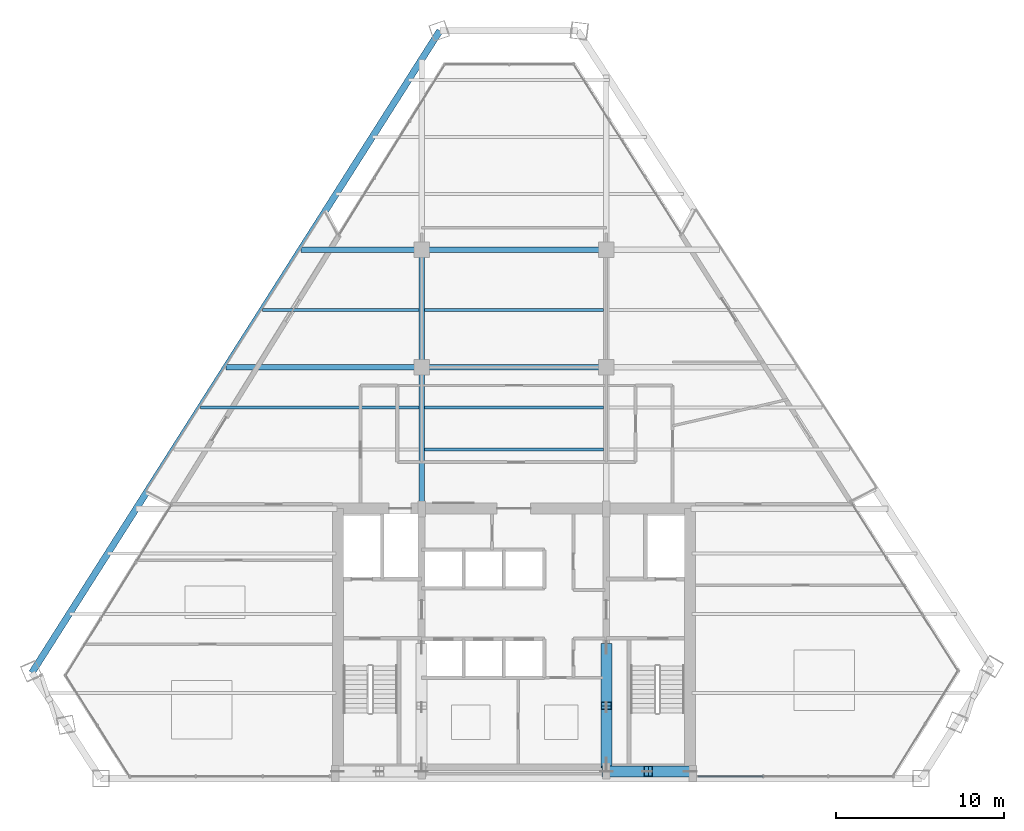
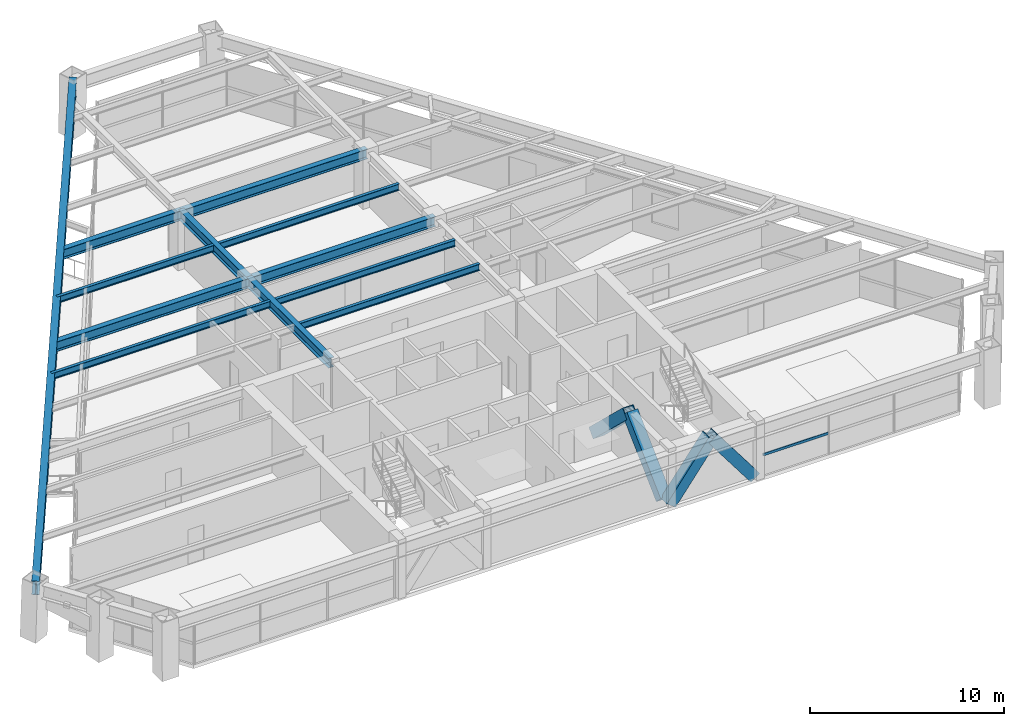
# One storey, part 5 of 15: 12 beams, 5 members, 1 element without a shape of its own.
"""IFC4 building model written with IfcOpenShell, lengths in metres."""

from ifc_helpers import new_model, si_unit, direction, frame, origin, origin_2d, place, context, subcontext, project, spatial, rectangle, hollow_rectangle, i_section, extrude, source, transform, mapped, material, material_profile, profile_set, type_object, type_shapes, element, aggregate, save


model = new_model("IFC4")

# Units and contexts
model_context = context("Model", 3, precision=1e-05, world=origin(), true_north=direction((0.0, 1.0)))
body_context = subcontext(model_context, "Body", "Model", "MODEL_VIEW")
ifc_project = project(units=[si_unit("LENGTHUNIT", "METRE"), si_unit("AREAUNIT", "SQUARE_METRE"), si_unit("VOLUMEUNIT", "CUBIC_METRE"), si_unit("PLANEANGLEUNIT", "RADIAN"), si_unit("MASSUNIT", "GRAM", prefix="KILO")], contexts=[model_context])

# Site, building, storey
site_placement = place(None, origin())
site = spatial("IfcSite", under=ifc_project, at=site_placement, CompositionType="ELEMENT")
building_placement = place(site_placement, origin())
building = spatial("IfcBuilding", under=site, at=building_placement, Name="Varnakhor Terracotta Tower", CompositionType="ELEMENT")
storey_placement = place(building_placement, frame((0.0, 0.0, 185.800048828125)))
storey = spatial("IfcBuildingStorey", under=building, at=storey_placement, Name="L47", CompositionType="ELEMENT", Elevation=185.800048828125)

# Beams
ifc_material_1 = material(Name="Steel S355", Category="steel")
ifc_material_profile_1 = material_profile(ifc_material_1, i_section(OverallWidth=0.324951171875, OverallDepth=0.615966796875, WebThickness=0.013916015625, FlangeThickness=0.02197265625, FilletRadius=0.01806640625, at=origin_2d()), Name="W24X117")
ifc_profile_set_1 = profile_set([ifc_material_profile_1], Name="Steel S355")
beam_type_1 = type_object("IfcBeamType", Name="BM-W24X117", PredefinedType="BEAM", material=ifc_profile_set_1)
shared_shape_1 = source(origin(), body_context, "Body", "SweptSolid", [
    extrude(i_section(OverallWidth=0.324951171875, OverallDepth=0.615966796875, WebThickness=0.013916015625, FlangeThickness=0.02197265625, FilletRadius=0.01806640625, at=origin_2d()), origin(), (0.0, 0.0, 1.0), 8.449951171875),
])
type_shapes(beam_type_1, [shared_shape_1])
beam_1_placement = place(storey_placement, frame((-5.5, 16.050048828125, 3.161865234375), z_axis=(0.0, 1.0, 0.0), x_axis=(-1.0, 0.0, 0.0)))
element("IfcBeam", 1, at=beam_1_placement, inside=storey, type_object=beam_type_1, Name="L47 Primary Girder NS1-W", PredefinedType="BEAM", context=body_context, shape_type="MappedRepresentation", body=[
    mapped(shared_shape_1, transform((0.0, 0.0, 0.0), scale=1.0)),
])
shared_shape_2 = source(origin(), body_context, "Body", "SweptSolid", [
    extrude(i_section(OverallWidth=0.324951171875, OverallDepth=0.615966796875, WebThickness=0.013916015625, FlangeThickness=0.02197265625, FilletRadius=0.01806640625, at=origin_2d()), origin(), (0.0, 0.0, 1.0), 7.0),
])
beam_2_placement = place(storey_placement, frame((-5.5, 24.5, 3.161865234375), z_axis=(0.0, 1.0, 0.0), x_axis=(-1.0, 0.0, 0.0)))
element("IfcBeam", 2, at=beam_2_placement, inside=storey, type_object=beam_type_1, Name="L47 Primary Girder NS2-W", PredefinedType="BEAM", context=body_context, shape_type="MappedRepresentation", body=[
    mapped(shared_shape_2, transform((0.0, 0.0, 0.0), scale=1.0)),
])
shared_shape_3 = source(origin(), body_context, "Body", "SweptSolid", [
    extrude(i_section(OverallWidth=0.324951171875, OverallDepth=0.615966796875, WebThickness=0.013916015625, FlangeThickness=0.02197265625, FilletRadius=0.01806640625, at=origin_2d()), origin(), (0.0, 0.0, 1.0), 11.0),
])
for number, where, z_axis, x_axis, name in (
    (3, (-5.5, 24.5, 3.161865234375), (1.0, 0.0, 0.0), (0.0, 1.0, 0.0), "L47 Primary Girder EW2-2"),
    (4, (-5.5, 31.5, 3.161865234375), (1.0, 0.0, 0.0), (0.0, 1.0, 0.0), "L47 Primary Girder EW3-2"),
):
    element("IfcBeam", number, at=place(storey_placement, frame(where, z_axis=z_axis, x_axis=x_axis)), inside=storey, type_object=beam_type_1, Name=name, PredefinedType="BEAM", context=body_context, shape_type="MappedRepresentation", body=[
        mapped(shared_shape_3, transform((0.0, 0.0, 0.0), scale=1.0)),
    ])
ifc_material_profile_2 = material_profile(ifc_material_1, i_section(OverallWidth=0.179931640625, OverallDepth=0.4130859375, WebThickness=0.009765625, FlangeThickness=0.01611328125, FilletRadius=0.01806640625, at=origin_2d()), Name="W16X50")
ifc_profile_set_2 = profile_set([ifc_material_profile_2], Name="Steel S355")
beam_type_2 = type_object("IfcBeamType", Name="JST-W16X50", PredefinedType="JOIST", material=ifc_profile_set_2)
shared_shape_4 = source(origin(), body_context, "Body", "SweptSolid", [
    extrude(i_section(OverallWidth=0.179931640625, OverallDepth=0.4130859375, WebThickness=0.009765625, FlangeThickness=0.01611328125, FilletRadius=0.01806640625, at=origin_2d()), origin(), (0.0, 0.0, 1.0), 10.68310546875),
])
for number, where, z_axis, x_axis, name in (
    (5, (-5.341552734375, 19.60009765625, 3.263427734375), (1.0, 0.0, 0.0), (0.0, 1.0, 0.0), "L47 Composite Floor Joist 4-2"),
    (6, (-5.341552734375, 22.10009765625, 3.263427734375), (1.0, 0.0, 0.0), (0.0, 1.0, 0.0), "L47 Composite Floor Joist 5-2"),
    (7, (-5.341552734375, 27.89990234375, 3.263427734375), (1.0, 0.0, 0.0), (0.0, 1.0, 0.0), "L47 Composite Floor Joist 6-2"),
):
    element("IfcBeam", number, at=place(storey_placement, frame(where, z_axis=z_axis, x_axis=x_axis)), inside=storey, type_object=beam_type_2, Name=name, PredefinedType="JOIST", context=body_context, shape_type="MappedRepresentation", body=[
        mapped(shared_shape_4, transform((0.0, 0.0, 0.0), scale=1.0)),
    ])

# Members
ifc_material_2 = material(Name="Steel S460", Category="steel")
ifc_material_profile_3 = material_profile(ifc_material_2, hollow_rectangle(XDim=0.64990234375, YDim=0.64990234375, WallThickness=0.0400390625, at=origin_2d()), Name="HSS650X650X40")
ifc_profile_set_3 = profile_set([ifc_material_profile_3], Name="Steel S460")
member_type_1 = type_object("IfcMemberType", Name="MBR-MEGA-650", PredefinedType="BRACE", material=ifc_profile_set_3)
shared_shape_5 = source(origin(), body_context, "Body", "SweptSolid", [
    extrude(hollow_rectangle(XDim=0.64990234375, YDim=0.64990234375, WallThickness=0.0400390625, at=origin_2d()), origin(), (0.0, 0.0, 1.0), 4.805908203125),
])
member_1_placement = place(storey_placement, frame((5.5, 0.85009765625, 0.0), z_axis=(0.0, 0.723026776832, 0.69082000549), x_axis=(-1.0, 0.0, 0.0)))
element("IfcMember", 8, at=member_1_placement, inside=storey, type_object=member_type_1, Name="L47 Core Coupled Brace CWEA", PredefinedType="BRACE", context=body_context, shape_type="MappedRepresentation", body=[
    mapped(shared_shape_5, transform((0.0, 0.0, 0.0), scale=1.0)),
])
shared_shape_6 = source(origin(), body_context, "Body", "SweptSolid", [
    extrude(hollow_rectangle(XDim=0.64990234375, YDim=0.64990234375, WallThickness=0.0400390625, at=origin_2d()), origin(), (0.0, 0.0, 1.0), 4.156005859375),
])
for number, where, z_axis, x_axis, name in (
    (9, (5.5, 0.419921875, 0.0), (0.601530923869, 0.0, 0.798849515009), (0.0, 1.0, 0.0), "L47 Core Coupled Brace CSEA"),
    (10, (10.5, 0.419921875, 0.0), (-0.601530923869, 0.0, 0.798849515009), (0.0, -1.0, 0.0), "L47 Core Coupled Brace CSEB"),
):
    element("IfcMember", number, at=place(storey_placement, frame(where, z_axis=z_axis, x_axis=x_axis)), inside=storey, type_object=member_type_1, Name=name, PredefinedType="BRACE", context=body_context, shape_type="MappedRepresentation", body=[
        mapped(shared_shape_6, transform((0.0, 0.0, 0.0), scale=1.0)),
    ])
shared_shape_7 = source(origin(), body_context, "Body", "SweptSolid", [
    extrude(hollow_rectangle(XDim=0.64990234375, YDim=0.64990234375, WallThickness=0.0400390625, at=origin_2d()), origin(), (0.0, 0.0, 1.0), 4.80615234375),
])
member_2_placement = place(storey_placement, frame((5.5, 7.800048828125, 0.0), z_axis=(0.0, -0.723051018573, 0.690794632681), x_axis=(1.0, 0.0, 0.0)))
element("IfcMember", 11, at=member_2_placement, inside=storey, type_object=member_type_1, Name="L47 Core Coupled Brace CWEB", PredefinedType="BRACE", context=body_context, shape_type="MappedRepresentation", body=[
    mapped(shared_shape_7, transform((0.0, 0.0, 0.0), scale=1.0)),
])

# Beams
ifc_material_profile_4 = material_profile(ifc_material_1, i_section(OverallWidth=0.39990234375, OverallDepth=0.85498046875, WebThickness=0.01806640625, FlangeThickness=0.029052734375, FilletRadius=0.01806640625, at=origin_2d()), Name="W33X201")
ifc_profile_set_4 = profile_set([ifc_material_profile_4], Name="Steel S355")
beam_type_3 = type_object("IfcBeamType", Name="BM-W33X201", PredefinedType="BEAM", material=ifc_profile_set_4)
shared_shape_8 = source(origin(), body_context, "Body", "SweptSolid", [
    extrude(i_section(OverallWidth=0.39990234375, OverallDepth=0.85498046875, WebThickness=0.01806640625, FlangeThickness=0.029052734375, FilletRadius=0.01806640625, at=origin_2d()), origin(), (0.0, 0.0, 1.0), 45.30810546875),
])
beam_3_placement = place(storey_placement, frame((-4.41162109375, 44.53564453125, 3.04248046875), z_axis=(-0.536295885705, -0.844030048622, 0.0), x_axis=(0.844030048622, -0.536295885705, 0.0)))
element("IfcBeam", 12, at=beam_3_placement, inside=storey, type_object=beam_type_3, Name="L47 Perimeter Spandrel 6", PredefinedType="BEAM", context=body_context, shape_type="MappedRepresentation", body=[
    mapped(shared_shape_8, transform((0.0, 0.0, 0.0), scale=1.0)),
])
shared_shape_9 = source(origin(), body_context, "Body", "SweptSolid", [
    extrude(i_section(OverallWidth=0.324951171875, OverallDepth=0.615966796875, WebThickness=0.013916015625, FlangeThickness=0.02197265625, FilletRadius=0.01806640625, at=origin_2d()), origin(), (0.0, 0.0, 1.0), 11.642333984375),
])
beam_4_placement = place(storey_placement, frame((-17.142333984375, 24.5, 3.161865234375), z_axis=(1.0, 0.0, 0.0), x_axis=(0.0, 1.0, 0.0)))
element("IfcBeam", 13, at=beam_4_placement, inside=storey, type_object=beam_type_1, Name="L47 Primary Girder EW2-1", PredefinedType="BEAM", context=body_context, shape_type="MappedRepresentation", body=[
    mapped(shared_shape_9, transform((0.0, 0.0, 0.0), scale=1.0)),
])
shared_shape_10 = source(origin(), body_context, "Body", "SweptSolid", [
    extrude(i_section(OverallWidth=0.324951171875, OverallDepth=0.615966796875, WebThickness=0.013916015625, FlangeThickness=0.02197265625, FilletRadius=0.01806640625, at=origin_2d()), origin(), (0.0, 0.0, 1.0), 7.194580078125),
])
beam_5_placement = place(storey_placement, frame((-12.694580078125, 31.5, 3.161865234375), z_axis=(1.0, 0.0, 0.0), x_axis=(0.0, 1.0, 0.0)))
element("IfcBeam", 14, at=beam_5_placement, inside=storey, type_object=beam_type_1, Name="L47 Primary Girder EW3-1", PredefinedType="BEAM", context=body_context, shape_type="MappedRepresentation", body=[
    mapped(shared_shape_10, transform((0.0, 0.0, 0.0), scale=1.0)),
])
shared_shape_11 = source(origin(), body_context, "Body", "SweptSolid", [
    extrude(i_section(OverallWidth=0.179931640625, OverallDepth=0.4130859375, WebThickness=0.009765625, FlangeThickness=0.01611328125, FilletRadius=0.01806640625, at=origin_2d()), origin(), (0.0, 0.0, 1.0), 13.0087890625),
])
beam_6_placement = place(storey_placement, frame((-18.667236328125, 22.10009765625, 3.263427734375), z_axis=(1.0, 0.0, 0.0), x_axis=(0.0, 1.0, 0.0)))
element("IfcBeam", 15, at=beam_6_placement, inside=storey, type_object=beam_type_2, Name="L47 Composite Floor Joist 5-1", PredefinedType="JOIST", context=body_context, shape_type="MappedRepresentation", body=[
    mapped(shared_shape_11, transform((0.0, 0.0, 0.0), scale=1.0)),
])
shared_shape_12 = source(origin(), body_context, "Body", "SweptSolid", [
    extrude(i_section(OverallWidth=0.179931640625, OverallDepth=0.4130859375, WebThickness=0.009765625, FlangeThickness=0.01611328125, FilletRadius=0.01806640625, at=origin_2d()), origin(), (0.0, 0.0, 1.0), 9.323486328125),
])
beam_7_placement = place(storey_placement, frame((-14.98193359375, 27.89990234375, 3.263427734375), z_axis=(1.0, 0.0, 0.0), x_axis=(0.0, 1.0, 0.0)))
element("IfcBeam", 16, at=beam_7_placement, inside=storey, type_object=beam_type_2, Name="L47 Composite Floor Joist 6-1", PredefinedType="JOIST", context=body_context, shape_type="MappedRepresentation", body=[
    mapped(shared_shape_12, transform((0.0, 0.0, 0.0), scale=1.0)),
])

# Curtain wall, member
ifc_material_3 = material(Name="Anodised Aluminium Curtain Wall System", Category="aluminium")
curtain_wall_type = type_object("IfcCurtainWallType", Name="CW-SYS-MID-OFFICE", PredefinedType="NOTDEFINED", material=ifc_material_3)
curtain_wall_placement = place(storey_placement, origin())
curtain_wall = element("IfcCurtainWall", 17, at=curtain_wall_placement, inside=storey, type_object=curtain_wall_type, Name="L47 South Wing Curtain Wall SSE", PredefinedType="NOTDEFINED")
ifc_material_4 = material(Name="Anodised Aluminium 6063-T6", Category="aluminium")
ifc_material_profile_5 = material_profile(ifc_material_4, rectangle(XDim=0.070068359375, YDim=0.155029296875, at=origin_2d()), Name="ALU TRANSOM 70x155")
ifc_profile_set_5 = profile_set([ifc_material_profile_5], Name="Anodised Aluminium 6063-T6")
member_type_2 = type_object("IfcMemberType", Name="CWT-03", PredefinedType="USERDEFINED", material=ifc_profile_set_5)
shared_shape_13 = source(origin(), body_context, "Body", "SweptSolid", [
    extrude(rectangle(XDim=0.070068359375, YDim=0.155029296875, at=origin_2d()), origin(), (0.0, 0.0, 1.0), 3.878173828125),
])
member_3_placement = place(storey_placement, frame((14.84814453125, 0.1201171875, 1.281005859375), z_axis=(-1.0, 0.0, 0.0), x_axis=(0.0, -1.0, 0.0)))
member_3 = element("IfcMember", 18, at=member_3_placement, type_object=member_type_2, Name="L47 South Wing Curtain Wall SSE Transom 3", ObjectType="TRANSOM", PredefinedType="USERDEFINED", context=body_context, shape_type="MappedRepresentation", body=[
    mapped(shared_shape_13, transform((0.0, 0.0, 0.0), scale=1.0)),
])
aggregate(curtain_wall, [member_3])

save(model, "model.ifc")
